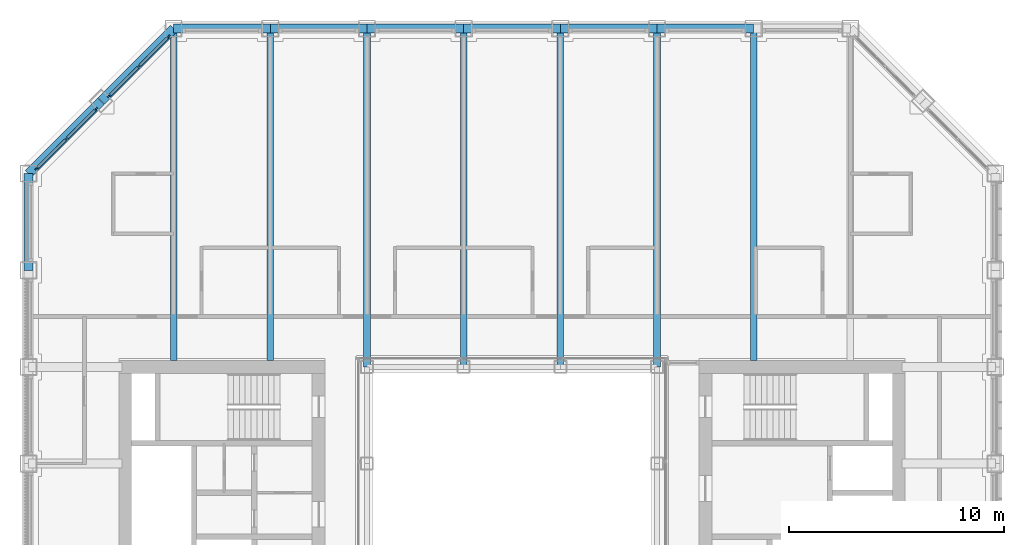
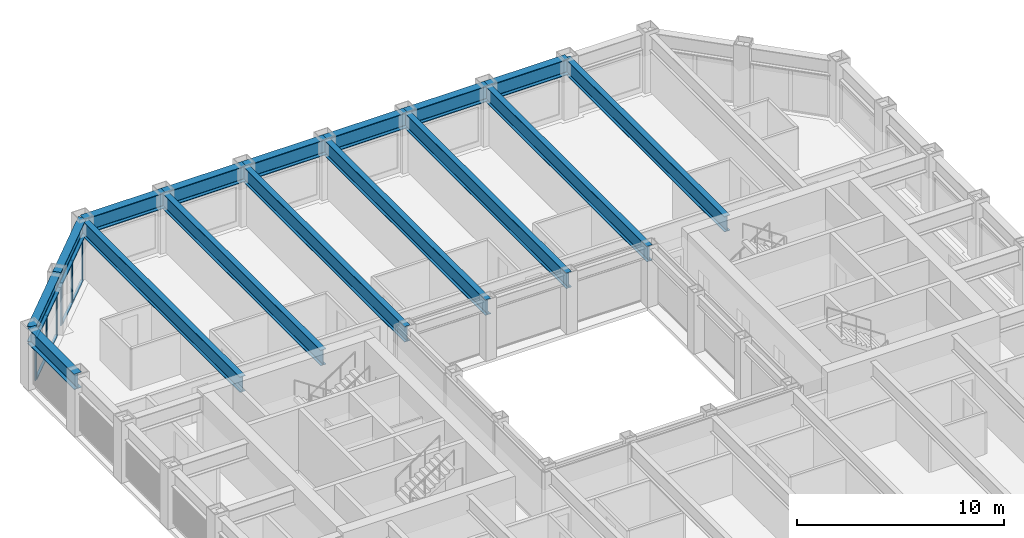
# One storey, part 7 of 17: 16 beams, 14 members, 2 elements without a shape of their own.
"""IFC4 building model written with IfcOpenShell, lengths in metres."""

from ifc_helpers import new_model, si_unit, direction, frame, origin, origin_2d, place, context, subcontext, project, spatial, rectangle, i_section, extrude, material, material_profile, profile_set, type_object, element, aggregate, save


model = new_model("IFC4")

# Units and contexts
model_context = context("Model", 3, precision=1e-05, world=origin(), true_north=direction((0.0, 1.0)))
body_context = subcontext(model_context, "Body", "Model", "MODEL_VIEW")
ifc_project = project(units=[si_unit("LENGTHUNIT", "METRE"), si_unit("AREAUNIT", "SQUARE_METRE"), si_unit("VOLUMEUNIT", "CUBIC_METRE"), si_unit("PLANEANGLEUNIT", "RADIAN"), si_unit("MASSUNIT", "GRAM", prefix="KILO")], contexts=[model_context])

# Site, building, storey
site_placement = place(None, origin())
site = spatial("IfcSite", under=ifc_project, at=site_placement, CompositionType="ELEMENT")
building_placement = place(site_placement, origin())
building = spatial("IfcBuilding", under=site, at=building_placement, Name="Msasa Ring Tower", CompositionType="ELEMENT")
storey_placement = place(building_placement, frame((0.0, 0.0, 143.60009765625)))
storey = spatial("IfcBuildingStorey", under=building, at=storey_placement, Name="L37", CompositionType="ELEMENT", Elevation=143.60009765625)

# Curtain wall, members
ifc_material_1 = material(Name="Aluminium curtain wall with clear glass", Category="aluminium")
curtain_wall_type = type_object("IfcCurtainWallType", Name="CW-C CHAMFER CORNER CURTAIN WALL", PredefinedType="NOTDEFINED", material=ifc_material_1)
curtain_wall_1_placement = place(storey_placement, origin())
curtain_wall_1 = element("IfcCurtainWall", 1, at=curtain_wall_1_placement, inside=storey, type_object=curtain_wall_type, Name="Chamfer corner curtain wall NW L37", PredefinedType="NOTDEFINED")
ifc_material_2 = material(Name="Aluminium mullion", Category="aluminium")
ifc_material_profile_1 = material_profile(ifc_material_2, rectangle(XDim=0.06494140625, YDim=0.179931640625, at=origin_2d()), Name="AL 65x180")
ifc_profile_set_1 = profile_set([ifc_material_profile_1], Name="Aluminium mullion")
member_type_1 = type_object("IfcMemberType", Name="CW-C MULLION 65x180", PredefinedType="MULLION", material=ifc_profile_set_1)
member_1_placement = place(storey_placement, frame((-19.36376953125, 18.744873046875, 0.0), z_axis=(0.0, 0.0, 1.0), x_axis=(0.707106781187, -0.707106781187, 0.0)))
member_1 = element("IfcMember", 2, at=member_1_placement, type_object=member_type_1, Name="CW-C mullion 1", PredefinedType="MULLION", context=body_context, shape_type="SweptSolid", body=[
    extrude(rectangle(XDim=0.06494140625, YDim=0.179931640625, at=origin_2d()), origin(), (0.0, 0.0, 1.0), 2.47900390625),
])
member_2_placement = place(storey_placement, frame((-20.74169921875, 17.36669921875, 0.0), z_axis=(0.0, 0.0, 1.0), x_axis=(0.707106781187, -0.707106781187, 0.0)))
member_2 = element("IfcMember", 3, at=member_2_placement, type_object=member_type_1, Name="CW-C mullion 2", PredefinedType="MULLION", context=body_context, shape_type="SweptSolid", body=[
    extrude(rectangle(XDim=0.06494140625, YDim=0.179931640625, at=origin_2d()), origin(), (0.0, 0.0, 1.0), 2.47900390625),
])
member_3_placement = place(storey_placement, frame((-22.119873046875, 15.98876953125, 0.0), z_axis=(0.0, 0.0, 1.0), x_axis=(0.707106781187, -0.707106781187, 0.0)))
member_3 = element("IfcMember", 4, at=member_3_placement, type_object=member_type_1, Name="CW-C mullion 3", PredefinedType="MULLION", context=body_context, shape_type="SweptSolid", body=[
    extrude(rectangle(XDim=0.06494140625, YDim=0.179931640625, at=origin_2d()), origin(), (0.0, 0.0, 1.0), 2.47900390625),
])

curtain_wall_2_placement = place(storey_placement, origin())
curtain_wall_2 = element("IfcCurtainWall", 5, at=curtain_wall_2_placement, inside=storey, type_object=curtain_wall_type, Name="Chamfer corner curtain wall NW L37", PredefinedType="NOTDEFINED")
member_4_placement = place(storey_placement, frame((-15.98876953125, 22.119873046875, 0.0), z_axis=(0.0, 0.0, 1.0), x_axis=(0.707106781187, -0.707106781187, 0.0)))
member_4 = element("IfcMember", 6, at=member_4_placement, type_object=member_type_1, Name="CW-C mullion 1", PredefinedType="MULLION", context=body_context, shape_type="SweptSolid", body=[
    extrude(rectangle(XDim=0.06494140625, YDim=0.179931640625, at=origin_2d()), origin(), (0.0, 0.0, 1.0), 2.47900390625),
])
member_5_placement = place(storey_placement, frame((-17.36669921875, 20.74169921875, 0.0), z_axis=(0.0, 0.0, 1.0), x_axis=(0.707106781187, -0.707106781187, 0.0)))
member_5 = element("IfcMember", 7, at=member_5_placement, type_object=member_type_1, Name="CW-C mullion 2", PredefinedType="MULLION", context=body_context, shape_type="SweptSolid", body=[
    extrude(rectangle(XDim=0.06494140625, YDim=0.179931640625, at=origin_2d()), origin(), (0.0, 0.0, 1.0), 2.47900390625),
])
member_6_placement = place(storey_placement, frame((-18.744873046875, 19.36376953125, 0.0), z_axis=(0.0, 0.0, 1.0), x_axis=(0.707106781187, -0.707106781187, 0.0)))
member_6 = element("IfcMember", 8, at=member_6_placement, type_object=member_type_1, Name="CW-C mullion 3", PredefinedType="MULLION", context=body_context, shape_type="SweptSolid", body=[
    extrude(rectangle(XDim=0.06494140625, YDim=0.179931640625, at=origin_2d()), origin(), (0.0, 0.0, 1.0), 2.47900390625),
])

# Member
ifc_material_3 = material(Name="Aluminium transom", Category="aluminium")
ifc_material_profile_2 = material_profile(ifc_material_3, rectangle(XDim=0.139892578125, YDim=0.06494140625, at=origin_2d()), Name="AL 65x140")
ifc_profile_set_2 = profile_set([ifc_material_profile_2], Name="Aluminium transom")
member_type_2 = type_object("IfcMemberType", Name="CW-C TRANSOM 65x140", PredefinedType="USERDEFINED", material=ifc_profile_set_2)
member_7_placement = place(storey_placement, frame((-19.38671875, 18.721923828125, 0.032470703125), z_axis=(-0.707106781187, -0.707106781187, 0.0), x_axis=(0.707106781187, -0.707106781187, 0.0)))
member_7 = element("IfcMember", 9, at=member_7_placement, type_object=member_type_2, Name="CW-C transom 1.1", ObjectType="TRANSOM", PredefinedType="USERDEFINED", context=body_context, shape_type="SweptSolid", body=[
    extrude(rectangle(XDim=0.139892578125, YDim=0.06494140625, at=origin_2d()), origin(), (0.0, 0.0, 1.0), 1.8837890625),
])

member_8_placement = place(storey_placement, frame((-19.38671875, 18.721923828125, 2.4462890625), z_axis=(-0.707106781187, -0.707106781187, 0.0), x_axis=(0.707106781187, -0.707106781187, 0.0)))
member_8 = element("IfcMember", 10, at=member_8_placement, type_object=member_type_2, Name="CW-C transom 1.2", ObjectType="TRANSOM", PredefinedType="USERDEFINED", context=body_context, shape_type="SweptSolid", body=[
    extrude(rectangle(XDim=0.139892578125, YDim=0.06494140625, at=origin_2d()), origin(), (0.0, 0.0, 1.0), 1.8837890625),
])

member_9_placement = place(storey_placement, frame((-20.764892578125, 17.34375, 0.032470703125), z_axis=(-0.707106781187, -0.707106781187, 0.0), x_axis=(0.707106781187, -0.707106781187, 0.0)))
member_9 = element("IfcMember", 11, at=member_9_placement, type_object=member_type_2, Name="CW-C transom 2.1", ObjectType="TRANSOM", PredefinedType="USERDEFINED", context=body_context, shape_type="SweptSolid", body=[
    extrude(rectangle(XDim=0.139892578125, YDim=0.06494140625, at=origin_2d()), origin(), (0.0, 0.0, 1.0), 1.8837890625),
])

member_10_placement = place(storey_placement, frame((-20.764892578125, 17.34375, 2.4462890625), z_axis=(-0.707106781187, -0.707106781187, 0.0), x_axis=(0.707106781187, -0.707106781187, 0.0)))
member_10 = element("IfcMember", 12, at=member_10_placement, type_object=member_type_2, Name="CW-C transom 2.2", ObjectType="TRANSOM", PredefinedType="USERDEFINED", context=body_context, shape_type="SweptSolid", body=[
    extrude(rectangle(XDim=0.139892578125, YDim=0.06494140625, at=origin_2d()), origin(), (0.0, 0.0, 1.0), 1.8837890625),
])

aggregate(curtain_wall_1, [member_1, member_2, member_3, member_7, member_8, member_9, member_10])

member_11_placement = place(storey_placement, frame((-16.01171875, 22.096923828125, 0.032470703125), z_axis=(-0.707106781187, -0.707106781187, 0.0), x_axis=(0.707106781187, -0.707106781187, 0.0)))
member_11 = element("IfcMember", 13, at=member_11_placement, type_object=member_type_2, Name="CW-C transom 1.1", ObjectType="TRANSOM", PredefinedType="USERDEFINED", context=body_context, shape_type="SweptSolid", body=[
    extrude(rectangle(XDim=0.139892578125, YDim=0.06494140625, at=origin_2d()), origin(), (0.0, 0.0, 1.0), 1.8837890625),
])

member_12_placement = place(storey_placement, frame((-16.01171875, 22.096923828125, 2.4462890625), z_axis=(-0.707106781187, -0.707106781187, 0.0), x_axis=(0.707106781187, -0.707106781187, 0.0)))
member_12 = element("IfcMember", 14, at=member_12_placement, type_object=member_type_2, Name="CW-C transom 1.2", ObjectType="TRANSOM", PredefinedType="USERDEFINED", context=body_context, shape_type="SweptSolid", body=[
    extrude(rectangle(XDim=0.139892578125, YDim=0.06494140625, at=origin_2d()), origin(), (0.0, 0.0, 1.0), 1.8837890625),
])

member_13_placement = place(storey_placement, frame((-17.389892578125, 20.71875, 0.032470703125), z_axis=(-0.707106781187, -0.707106781187, 0.0), x_axis=(0.707106781187, -0.707106781187, 0.0)))
member_13 = element("IfcMember", 15, at=member_13_placement, type_object=member_type_2, Name="CW-C transom 2.1", ObjectType="TRANSOM", PredefinedType="USERDEFINED", context=body_context, shape_type="SweptSolid", body=[
    extrude(rectangle(XDim=0.139892578125, YDim=0.06494140625, at=origin_2d()), origin(), (0.0, 0.0, 1.0), 1.8837890625),
])

member_14_placement = place(storey_placement, frame((-17.389892578125, 20.71875, 2.4462890625), z_axis=(-0.707106781187, -0.707106781187, 0.0), x_axis=(0.707106781187, -0.707106781187, 0.0)))
member_14 = element("IfcMember", 16, at=member_14_placement, type_object=member_type_2, Name="CW-C transom 2.2", ObjectType="TRANSOM", PredefinedType="USERDEFINED", context=body_context, shape_type="SweptSolid", body=[
    extrude(rectangle(XDim=0.139892578125, YDim=0.06494140625, at=origin_2d()), origin(), (0.0, 0.0, 1.0), 1.8837890625),
])

aggregate(curtain_wall_2, [member_4, member_5, member_6, member_11, member_12, member_13, member_14])

# Beams
ifc_material_4 = material(Name="Steel S355", Category="steel")
ifc_material_profile_3 = material_profile(ifc_material_4, i_section(OverallWidth=0.3076171875, OverallDepth=0.926513671875, WebThickness=0.01953125, FlangeThickness=0.031982421875, FilletRadius=0.01904296875, at=origin_2d()), Name="UB 914x305x289")
ifc_profile_set_3 = profile_set([ifc_material_profile_3], Name="Steel S355")
beam_type_1 = type_object("IfcBeamType", Name="FB3 UB 914x305x289", PredefinedType="BEAM", material=ifc_profile_set_3)
for number, where, z_axis, x_axis, name in (
    (17, (-15.75, 22.5, 2.9365234375), (0.0, -1.0, 0.0), (1.0, 0.0, 0.0), "Floor beam N-15.75 under L38"),
    (18, (-11.25, 22.5, 2.9365234375), (0.0, -1.0, 0.0), (1.0, 0.0, 0.0), "Floor beam N-11.25 under L38"),
):
    element("IfcBeam", number, at=place(storey_placement, frame(where, z_axis=z_axis, x_axis=x_axis)), inside=storey, type_object=beam_type_1, Name=name, PredefinedType="BEAM", context=body_context, shape_type="SweptSolid", body=[
        extrude(i_section(OverallWidth=0.3076171875, OverallDepth=0.926513671875, WebThickness=0.01953125, FlangeThickness=0.031982421875, FilletRadius=0.01904296875, at=origin_2d()), origin(), (0.0, 0.0, 1.0), 15.449951171875),
    ])
for number, where, z_axis, x_axis, name in (
    (19, (-6.75, 22.5, 2.9365234375), (0.0, -1.0, 0.0), (1.0, 0.0, 0.0), "Floor beam N-6.75 under L38"),
    (20, (-2.25, 22.5, 2.9365234375), (0.0, -1.0, 0.0), (1.0, 0.0, 0.0), "Floor beam N-2.25 under L38"),
    (21, (2.25, 22.5, 2.9365234375), (0.0, -1.0, 0.0), (1.0, 0.0, 0.0), "Floor beam N+2.25 under L38"),
    (22, (6.75, 22.5, 2.9365234375), (0.0, -1.0, 0.0), (1.0, 0.0, 0.0), "Floor beam N+6.75 under L38"),
):
    element("IfcBeam", number, at=place(storey_placement, frame(where, z_axis=z_axis, x_axis=x_axis)), inside=storey, type_object=beam_type_1, Name=name, PredefinedType="BEAM", context=body_context, shape_type="SweptSolid", body=[
        extrude(i_section(OverallWidth=0.3076171875, OverallDepth=0.926513671875, WebThickness=0.01953125, FlangeThickness=0.031982421875, FilletRadius=0.01904296875, at=origin_2d()), origin(), (0.0, 0.0, 1.0), 15.75),
    ])
beam_1_placement = place(storey_placement, frame((11.25, 22.5, 2.9365234375), z_axis=(0.0, -1.0, 0.0), x_axis=(1.0, 0.0, 0.0)))
element("IfcBeam", 23, at=beam_1_placement, inside=storey, type_object=beam_type_1, Name="Floor beam N+11.25 under L38", PredefinedType="BEAM", context=body_context, shape_type="SweptSolid", body=[
    extrude(i_section(OverallWidth=0.3076171875, OverallDepth=0.926513671875, WebThickness=0.01953125, FlangeThickness=0.031982421875, FilletRadius=0.01904296875, at=origin_2d()), origin(), (0.0, 0.0, 1.0), 15.449951171875),
])
ifc_material_5 = material(Name="Steel S355", Category="steel")
ifc_material_profile_4 = material_profile(ifc_material_5, i_section(OverallWidth=0.42041015625, OverallDepth=0.9208984375, WebThickness=0.021484375, FlangeThickness=0.03662109375, FilletRadius=0.024169921875, at=origin_2d()), Name="UB 914x419x388")
ifc_profile_set_4 = profile_set([ifc_material_profile_4], Name="Steel S355")
beam_type_2 = type_object("IfcBeamType", Name="SB1 UB 914x419x388", PredefinedType="SPANDREL", material=ifc_profile_set_4)
for number, where, z_axis, x_axis, name in (
    (24, (11.25, 22.5, 2.939453125), (-1.0, 0.0, 0.0), (0.0, -1.0, 0.0), "Spandrel N+11.25 to N+6.75 under L38"),
    (25, (6.75, 22.5, 2.939453125), (-1.0, 0.0, 0.0), (0.0, -1.0, 0.0), "Spandrel N+6.75 to N+2.25 under L38"),
    (26, (2.25, 22.5, 2.939453125), (-1.0, 0.0, 0.0), (0.0, -1.0, 0.0), "Spandrel N+2.25 to N-2.25 under L38"),
    (27, (-2.25, 22.5, 2.939453125), (-1.0, 0.0, 0.0), (0.0, -1.0, 0.0), "Spandrel N-2.25 to N-6.75 under L38"),
    (28, (-6.75, 22.5, 2.939453125), (-1.0, 0.0, 0.0), (0.0, -1.0, 0.0), "Spandrel N-6.75 to N-11.25 under L38"),
    (29, (-11.25, 22.5, 2.939453125), (-1.0, 0.0, 0.0), (0.0, -1.0, 0.0), "Spandrel N-11.25 to N-15.75 under L38"),
):
    element("IfcBeam", number, at=place(storey_placement, frame(where, z_axis=z_axis, x_axis=x_axis)), inside=storey, type_object=beam_type_2, Name=name, PredefinedType="SPANDREL", context=body_context, shape_type="SweptSolid", body=[
        extrude(i_section(OverallWidth=0.42041015625, OverallDepth=0.9208984375, WebThickness=0.021484375, FlangeThickness=0.03662109375, FilletRadius=0.024169921875, at=origin_2d()), origin(), (0.0, 0.0, 1.0), 4.5),
    ])
for number, where, z_axis, x_axis, name in (
    (30, (-15.75, 22.5, 2.939453125), (-0.707106781187, -0.707106781187, 0.0), (0.707106781187, -0.707106781187, 0.0), "Spandrel N-15.75 to NW under L38"),
    (31, (-19.125, 19.125, 2.939453125), (-0.707106781187, -0.707106781187, 0.0), (0.707106781187, -0.707106781187, 0.0), "Spandrel NW to W+15.75 under L38"),
):
    element("IfcBeam", number, at=place(storey_placement, frame(where, z_axis=z_axis, x_axis=x_axis)), inside=storey, type_object=beam_type_2, Name=name, PredefinedType="SPANDREL", context=body_context, shape_type="SweptSolid", body=[
        extrude(i_section(OverallWidth=0.42041015625, OverallDepth=0.9208984375, WebThickness=0.021484375, FlangeThickness=0.03662109375, FilletRadius=0.024169921875, at=origin_2d()), origin(), (0.0, 0.0, 1.0), 4.77294921875),
    ])
beam_2_placement = place(storey_placement, frame((-22.5, 15.75, 2.939453125), z_axis=(0.0, -1.0, 0.0), x_axis=(1.0, 0.0, 0.0)))
element("IfcBeam", 32, at=beam_2_placement, inside=storey, type_object=beam_type_2, Name="Spandrel W+15.75 to W+11.25 under L38", PredefinedType="SPANDREL", context=body_context, shape_type="SweptSolid", body=[
    extrude(i_section(OverallWidth=0.42041015625, OverallDepth=0.9208984375, WebThickness=0.021484375, FlangeThickness=0.03662109375, FilletRadius=0.024169921875, at=origin_2d()), origin(), (0.0, 0.0, 1.0), 4.5),
])

save(model, "model.ifc")
